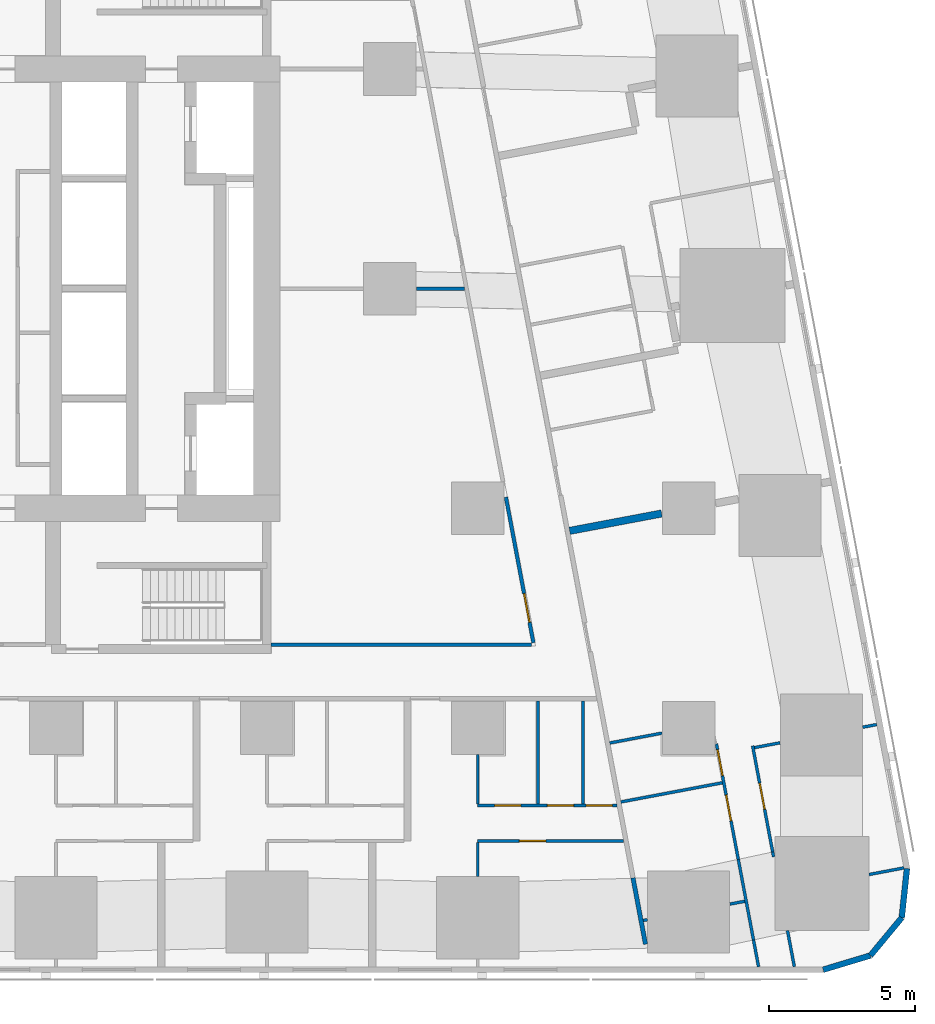
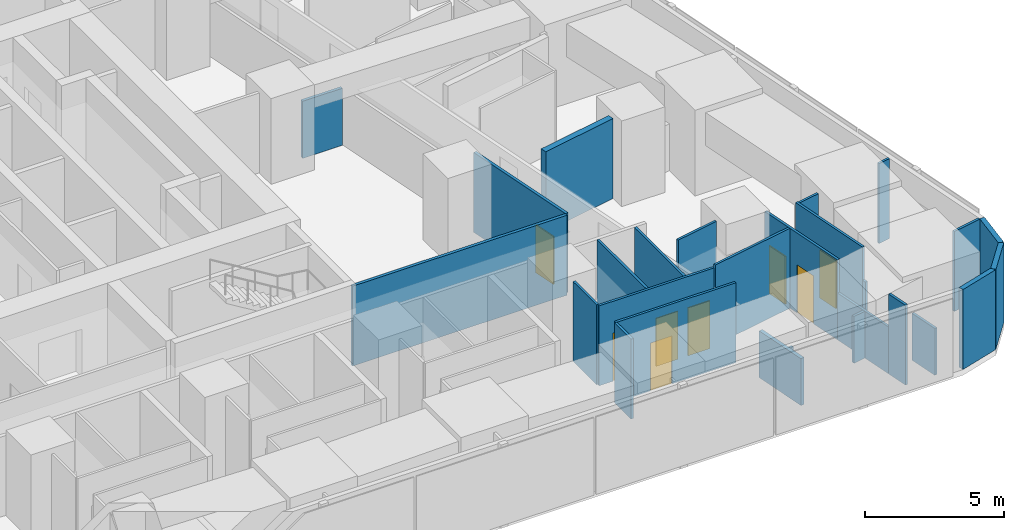
# One storey, part 6 of 15: 27 walls, 8 doors, 8 openings.
"""IFC4 building model written with IfcOpenShell, lengths in metres."""

from ifc_helpers import new_model, si_unit, direction, frame, frame_2d, origin, place, context, subcontext, project, spatial, rectangle, extrude, material, layer, layer_set, type_object, element, fill, save


model = new_model("IFC4")

# Units and contexts
model_context = context("Model", 3, precision=1e-05, world=origin(), true_north=direction((0.0, 1.0)))
body_context = subcontext(model_context, "Body", "Model", "MODEL_VIEW")
ifc_project = project(units=[si_unit("LENGTHUNIT", "METRE"), si_unit("AREAUNIT", "SQUARE_METRE"), si_unit("VOLUMEUNIT", "CUBIC_METRE"), si_unit("PLANEANGLEUNIT", "RADIAN"), si_unit("MASSUNIT", "GRAM", prefix="KILO")], contexts=[model_context])

# Site, building, storey
site_placement = place(None, origin())
site = spatial("IfcSite", under=ifc_project, at=site_placement, CompositionType="ELEMENT")
building_placement = place(site_placement, origin())
building = spatial("IfcBuilding", under=site, at=building_placement, Name="Sheger Commons Tower", CompositionType="ELEMENT")
storey_placement = place(building_placement, frame((0.0, 0.0, 65.0)))
storey = spatial("IfcBuildingStorey", under=building, at=storey_placement, Name="L16", CompositionType="ELEMENT", Elevation=65.0)

# Walls
ifc_material_1 = material(Name="Hollow concrete block masonry, skimmed both sides", Category="masonry")
ifc_layer_1 = layer(ifc_material_1, 0.14990234375)
ifc_layer_set_1 = layer_set([ifc_layer_1], Name="CORRIDOR WALL 150")
wall_type_1 = type_object("IfcWallType", Name="CORRIDOR WALL 150", PredefinedType="SOLIDWALL", material=ifc_layer_set_1)
wall_1_placement = place(storey_placement, frame((41.300048828125, 2.385009765625, 0.0), z_axis=(0.0, 0.0, 1.0), x_axis=(0.185170596553, -0.982706390624, 0.0)))
element("IfcWall", 1, at=wall_1_placement, inside=storey, type_object=wall_type_1, Name="Corridor wall L16", PredefinedType="SOLIDWALL", context=body_context, shape_type="SweptSolid", body=[
    extrude(rectangle(XDim=2.305908203125, YDim=0.14990234375, at=frame_2d((1.15283203125, 0.0))), origin(), (0.0, 0.0, 1.0), 2.050048828125),
])
ifc_material_2 = material(Name="Dense concrete block masonry, plastered both sides (separating wall between flats)", Category="masonry")
ifc_layer_2 = layer(ifc_material_2, 0.25)
ifc_layer_set_2 = layer_set([ifc_layer_2], Name="DEMISING WALL 250")
wall_type_2 = type_object("IfcWallType", Name="DEMISING WALL 250", PredefinedType="SOLIDWALL", material=ifc_layer_set_2)
wall_2_placement = place(storey_placement, frame((42.27587890625, 14.824951171875, 0.0), z_axis=(0.0, 0.0, 1.0), x_axis=(-0.982607211054, -0.185696173318, 0.0)))
element("IfcWall", 2, at=wall_2_placement, inside=storey, type_object=wall_type_2, Name="Demising wall L16", PredefinedType="SOLIDWALL", context=body_context, shape_type="SweptSolid", body=[
    extrude(rectangle(XDim=3.193603515625, YDim=0.25, at=frame_2d((1.5966796875, 0.0))), origin(), (0.0, 0.0, 1.0), 3.5),
])
ifc_material_3 = material(Name="Rendered concrete block masonry, dark grey", Category="masonry")
ifc_layer_3 = layer(ifc_material_3, 0.199951171875)
ifc_layer_set_3 = layer_set([ifc_layer_3], Name="FACADE WALL 200")
wall_type_3 = type_object("IfcWallType", Name="FACADE WALL 200", PredefinedType="SOLIDWALL", material=ifc_layer_set_3)
wall_3_placement = place(storey_placement, frame((47.791015625, -0.75, 0.0), z_axis=(0.0, 0.0, 1.0), x_axis=(0.957455232626, 0.288581838509, 0.0)))
element("IfcWall", 3, at=wall_3_placement, inside=storey, type_object=wall_type_3, Name="Facade wall L16", PredefinedType="SOLIDWALL", context=body_context, shape_type="SweptSolid", body=[
    extrude(rectangle(XDim=1.687744140625, YDim=0.199951171875, at=frame_2d((0.84375, 0.0))), origin(), (0.0, 0.0, 1.0), 3.5),
])
wall_4_placement = place(storey_placement, frame((49.406982421875, -0.262939453125, 0.0), z_axis=(0.0, 0.0, 1.0), x_axis=(0.638042593423, 0.770001070764, 0.0)))
element("IfcWall", 4, at=wall_4_placement, inside=storey, type_object=wall_type_3, Name="Facade wall L16", PredefinedType="SOLIDWALL", context=body_context, shape_type="SweptSolid", body=[
    extrude(rectangle(XDim=1.672607421875, YDim=0.199951171875, at=frame_2d((0.83642578125, 0.0))), origin(), (0.0, 0.0, 1.0), 3.5),
])
wall_5_placement = place(storey_placement, frame((50.47412109375, 1.02490234375, 0.0), z_axis=(0.0, 0.0, 1.0), x_axis=(0.106047815515, 0.994361031429, 0.0)))
element("IfcWall", 5, at=wall_5_placement, inside=storey, type_object=wall_type_3, Name="Facade wall L16", PredefinedType="SOLIDWALL", context=body_context, shape_type="SweptSolid", body=[
    extrude(rectangle(XDim=1.6875, YDim=0.199951171875, at=frame_2d((0.84375, 0.0))), origin(), (0.0, 0.0, 1.0), 3.5),
])

# Wall, opening, door
ifc_material_4 = material(Name="Gypsum board on steel studs", Category="steel")
ifc_layer_4 = layer(ifc_material_4, 0.10009765625)
ifc_layer_set_4 = layer_set([ifc_layer_4], Name="PARTITION 100")
wall_type_4 = type_object("IfcWallType", Name="PARTITION 100", PredefinedType="PARTITIONING", material=ifc_layer_set_4)
wall_6_placement = place(storey_placement, frame((40.97509765625, 3.64990234375, 0.0), z_axis=(0.0, 0.0, 1.0), x_axis=(-1.0, 0.0, 0.0)))
wall_6 = element("IfcWall", 6, at=wall_6_placement, inside=storey, type_object=wall_type_4, Name="Partition L16", PredefinedType="PARTITIONING", context=body_context, shape_type="SweptSolid", body=[
    extrude(rectangle(XDim=4.97509765625, YDim=0.10009765625, at=frame_2d((2.487548828125, 0.0))), origin(), (0.0, 0.0, 1.0), 3.5),
])
opening_1_placement = place(wall_6_placement, frame((2.64990234375, 0.0, 0.0)))
opening_1 = element("IfcOpeningElement", 7, at=opening_1_placement, cuts=wall_6, Name="Opening D2", PredefinedType="OPENING", context=body_context, shape_type="SweptSolid", body=[
    extrude(rectangle(XDim=0.89990234375, YDim=2.10009765625, at=frame_2d((0.449951171875, 1.050048828125))), frame((0.0, 0.06005859375, 0.0), z_axis=(0.0, -1.0, 0.0), x_axis=(1.0, 0.0, 0.0)), (0.0, 0.0, 1.0), 0.1201171875),
])
ifc_material_5 = material(Name="Timber door set", Category="wood")
door_type_1 = type_object("IfcDoorType", Name="INTERNAL DOOR 900x2100", OperationType="NOTDEFINED", PredefinedType="DOOR", material=ifc_material_5)
door_1_placement = place(opening_1_placement, origin())
door_1 = element("IfcDoor", 8, at=door_1_placement, inside=storey, type_object=door_type_1, Name="Main bedroom door", OperationType="SINGLE_SWING_RIGHT", OverallHeight=2.10009765625, OverallWidth=0.89990234375, PredefinedType="DOOR", context=body_context, shape_type="SweptSolid", body=[
    extrude(rectangle(XDim=0.89990234375, YDim=2.10009765625, at=frame_2d((0.449951171875, 1.050048828125))), frame((0.0, 0.02490234375, 0.0), z_axis=(0.0, -1.0, 0.0), x_axis=(1.0, 0.0, 0.0)), (0.0, 0.0, 1.0), 0.050048828125),
])
fill(opening_1, door_1)

# Wall, openings, doors
wall_7_placement = place(storey_placement, frame((40.748046875, 4.85009765625, 0.0), z_axis=(0.0, 0.0, 1.0), x_axis=(-1.0, 0.0, 0.0)))
wall_7 = element("IfcWall", 9, at=wall_7_placement, inside=storey, type_object=wall_type_4, Name="Partition L16", PredefinedType="PARTITIONING", context=body_context, shape_type="SweptSolid", body=[
    extrude(rectangle(XDim=4.748046875, YDim=0.10009765625, at=frame_2d((2.3740234375, 0.0))), origin(), (0.0, 0.0, 1.0), 3.5),
])
opening_2_placement = place(wall_7_placement, frame((3.27294921875, 0.0, 0.0)))
opening_2 = element("IfcOpeningElement", 10, at=opening_2_placement, cuts=wall_7, Name="Opening D2", PredefinedType="OPENING", context=body_context, shape_type="SweptSolid", body=[
    extrude(rectangle(XDim=0.89990234375, YDim=2.10009765625, at=frame_2d((0.449951171875, 1.050048828125))), frame((0.0, 0.06005859375, 0.0), z_axis=(0.0, -1.0, 0.0), x_axis=(1.0, 0.0, 0.0)), (0.0, 0.0, 1.0), 0.1201171875),
])
opening_3_placement = place(wall_7_placement, frame((0.14990234375, 0.0, 0.0)))
opening_3 = element("IfcOpeningElement", 11, at=opening_3_placement, cuts=wall_7, Name="Opening D2", PredefinedType="OPENING", context=body_context, shape_type="SweptSolid", body=[
    extrude(rectangle(XDim=0.89990234375, YDim=2.10009765625, at=frame_2d((0.449951171875, 1.050048828125))), frame((0.0, 0.06005859375, 0.0), z_axis=(0.0, -1.0, 0.0), x_axis=(1.0, 0.0, 0.0)), (0.0, 0.0, 1.0), 0.1201171875),
])
opening_4_placement = place(wall_7_placement, frame((1.472900390625, 0.0, 0.0)))
opening_4 = element("IfcOpeningElement", 12, at=opening_4_placement, cuts=wall_7, Name="Opening D2", PredefinedType="OPENING", context=body_context, shape_type="SweptSolid", body=[
    extrude(rectangle(XDim=0.89990234375, YDim=2.10009765625, at=frame_2d((0.449951171875, 1.050048828125))), frame((0.0, 0.06005859375, 0.0), z_axis=(0.0, -1.0, 0.0), x_axis=(1.0, 0.0, 0.0)), (0.0, 0.0, 1.0), 0.1201171875),
])
door_2_placement = place(opening_2_placement, origin())
door_2 = element("IfcDoor", 13, at=door_2_placement, inside=storey, type_object=door_type_1, Name="Bathroom door", OperationType="SINGLE_SWING_LEFT", OverallHeight=2.10009765625, OverallWidth=0.89990234375, PredefinedType="DOOR", context=body_context, shape_type="SweptSolid", body=[
    extrude(rectangle(XDim=0.89990234375, YDim=2.10009765625, at=frame_2d((0.449951171875, 1.050048828125))), frame((0.0, 0.02490234375, 0.0), z_axis=(0.0, -1.0, 0.0), x_axis=(1.0, 0.0, 0.0)), (0.0, 0.0, 1.0), 0.050048828125),
])
fill(opening_2, door_2)
door_3_placement = place(opening_3_placement, origin())
door_3 = element("IfcDoor", 14, at=door_3_placement, inside=storey, type_object=door_type_1, Name="Laundry room door", OperationType="SINGLE_SWING_RIGHT", OverallHeight=2.10009765625, OverallWidth=0.89990234375, PredefinedType="DOOR", context=body_context, shape_type="SweptSolid", body=[
    extrude(rectangle(XDim=0.89990234375, YDim=2.10009765625, at=frame_2d((0.449951171875, 1.050048828125))), frame((0.0, 0.02490234375, 0.0), z_axis=(0.0, -1.0, 0.0), x_axis=(1.0, 0.0, 0.0)), (0.0, 0.0, 1.0), 0.050048828125),
])
fill(opening_3, door_3)
door_4_placement = place(opening_4_placement, origin())
door_4 = element("IfcDoor", 15, at=door_4_placement, inside=storey, type_object=door_type_1, Name="Store door", OperationType="SINGLE_SWING_LEFT", OverallHeight=2.10009765625, OverallWidth=0.89990234375, PredefinedType="DOOR", context=body_context, shape_type="SweptSolid", body=[
    extrude(rectangle(XDim=0.89990234375, YDim=2.10009765625, at=frame_2d((0.449951171875, 1.050048828125))), frame((0.0, 0.02490234375, 0.0), z_axis=(0.0, -1.0, 0.0), x_axis=(1.0, 0.0, 0.0)), (0.0, 0.0, 1.0), 0.050048828125),
])
fill(opening_4, door_4)

# Walls
wall_8_placement = place(storey_placement, frame((36.0, 2.426025390625, 0.0), z_axis=(0.0, 0.0, 1.0), x_axis=(0.0, 1.0, 0.0)))
element("IfcWall", 16, at=wall_8_placement, inside=storey, type_object=wall_type_4, Name="Partition L16", PredefinedType="PARTITIONING", context=body_context, shape_type="SweptSolid", body=[
    extrude(rectangle(XDim=1.174072265625, YDim=0.10009765625, at=frame_2d((0.5869140625, 0.0))), origin(), (0.0, 0.0, 1.0), 3.5),
])
wall_9_placement = place(storey_placement, frame((36.0, 4.89990234375, 0.0), z_axis=(0.0, 0.0, 1.0), x_axis=(0.0, 1.0, 0.0)))
element("IfcWall", 17, at=wall_9_placement, inside=storey, type_object=wall_type_4, Name="Partition L16", PredefinedType="PARTITIONING", context=body_context, shape_type="SweptSolid", body=[
    extrude(rectangle(XDim=1.69921875, YDim=0.10009765625, at=frame_2d((0.849609375, 0.0))), origin(), (0.0, 0.0, 1.0), 3.5),
])
for number, where, z_axis, x_axis, name in (
    (18, (39.60009765625, 4.89990234375, 0.0), (0.0, 0.0, 1.0), (0.0, 1.0, 0.0), "Partition L16"),
    (19, (38.050048828125, 4.89990234375, 0.0), (0.0, 0.0, 1.0), (0.0, 1.0, 0.0), "Partition L16"),
):
    element("IfcWall", number, at=place(storey_placement, frame(where, z_axis=z_axis, x_axis=x_axis)), inside=storey, type_object=wall_type_4, Name=name, PredefinedType="PARTITIONING", context=body_context, shape_type="SweptSolid", body=[
        extrude(rectangle(XDim=3.525146484375, YDim=0.10009765625, at=frame_2d((1.7626953125, 0.0))), origin(), (0.0, 0.0, 1.0), 3.5),
    ])

# Wall, opening, door
wall_10_placement = place(storey_placement, frame((45.383056640625, 6.89404296875, 0.0), z_axis=(0.0, 0.0, 1.0), x_axis=(0.185791461635, -0.982589198385, 0.0)))
wall_10 = element("IfcWall", 20, at=wall_10_placement, inside=storey, type_object=wall_type_4, Name="Partition L16", PredefinedType="PARTITIONING", context=body_context, shape_type="SweptSolid", body=[
    extrude(rectangle(XDim=3.687255859375, YDim=0.10009765625, at=frame_2d((1.84375, 0.0))), origin(), (0.0, 0.0, 1.0), 3.5),
])
opening_5_placement = place(wall_10_placement, frame((1.300048828125, 0.0, 0.0)))
opening_5 = element("IfcOpeningElement", 21, at=opening_5_placement, cuts=wall_10, Name="Opening D2", PredefinedType="OPENING", context=body_context, shape_type="SweptSolid", body=[
    extrude(rectangle(XDim=0.89990234375, YDim=2.10009765625, at=frame_2d((0.449951171875, 1.050048828125))), frame((0.0, 0.06005859375, 0.0), z_axis=(0.0, -1.0, 0.0), x_axis=(1.0, 0.0, 0.0)), (0.0, 0.0, 1.0), 0.1201171875),
])
door_5_placement = place(opening_5_placement, origin())
door_5 = element("IfcDoor", 22, at=door_5_placement, inside=storey, type_object=door_type_1, Name="Main bedroom door", OperationType="SINGLE_SWING_LEFT", OverallHeight=2.10009765625, OverallWidth=0.89990234375, PredefinedType="DOOR", context=body_context, shape_type="SweptSolid", body=[
    extrude(rectangle(XDim=0.89990234375, YDim=2.10009765625, at=frame_2d((0.449951171875, 1.050048828125))), frame((0.0, 0.02490234375, 0.0), z_axis=(0.0, -1.0, 0.0), x_axis=(1.0, 0.0, 0.0)), (0.0, 0.0, 1.0), 0.050048828125),
])
fill(opening_5, door_5)

# Walls
wall_11_placement = place(storey_placement, frame((46.068115234375, 3.27099609375, 0.0), z_axis=(0.0, 0.0, 1.0), x_axis=(0.183590240121, -0.98300286049, 0.0)))
element("IfcWall", 23, at=wall_11_placement, inside=storey, type_object=wall_type_4, Name="Partition L16", PredefinedType="PARTITIONING", context=body_context, shape_type="SweptSolid", body=[
    extrude(rectangle(XDim=0.1689453125, YDim=0.10009765625, at=frame_2d((0.08447265625, 0.0))), origin(), (0.0, 0.0, 1.0), 2.050048828125),
])
wall_12_placement = place(storey_placement, frame((46.573974609375, 0.5869140625, 0.0), z_axis=(0.0, 0.0, 1.0), x_axis=(0.185997942803, -0.98255013372, 0.0)))
element("IfcWall", 24, at=wall_12_placement, inside=storey, type_object=wall_type_4, Name="Partition L16", PredefinedType="PARTITIONING", context=body_context, shape_type="SweptSolid", body=[
    extrude(rectangle(XDim=1.2587890625, YDim=0.10009765625, at=frame_2d((0.62939453125, 0.0))), origin(), (0.0, 0.0, 1.0), 2.050048828125),
])

# Wall, openings, doors
wall_13_placement = place(storey_placement, frame((44.14892578125, 6.9599609375, 0.0), z_axis=(0.0, 0.0, 1.0), x_axis=(0.185824941804, -0.982582867245, 0.0)))
wall_13 = element("IfcWall", 25, at=wall_13_placement, inside=storey, type_object=wall_type_4, Name="Partition L16", PredefinedType="PARTITIONING", context=body_context, shape_type="SweptSolid", body=[
    extrude(rectangle(XDim=4.009765625, YDim=0.10009765625, at=frame_2d((2.0048828125, 0.0))), origin(), (0.0, 0.0, 1.0), 3.5),
])
opening_6_placement = place(wall_13_placement, frame((0.199951171875, 0.0, 0.0)))
opening_6 = element("IfcOpeningElement", 26, at=opening_6_placement, cuts=wall_13, Name="Opening D2", PredefinedType="OPENING", context=body_context, shape_type="SweptSolid", body=[
    extrude(rectangle(XDim=0.89990234375, YDim=2.10009765625, at=frame_2d((0.449951171875, 1.050048828125))), frame((0.0, 0.06005859375, 0.0), z_axis=(0.0, -1.0, 0.0), x_axis=(1.0, 0.0, 0.0)), (0.0, 0.0, 1.0), 0.1201171875),
])
opening_7_placement = place(wall_13_placement, frame((1.77587890625, 0.0, 0.0)))
opening_7 = element("IfcOpeningElement", 27, at=opening_7_placement, cuts=wall_13, Name="Opening D2", PredefinedType="OPENING", context=body_context, shape_type="SweptSolid", body=[
    extrude(rectangle(XDim=0.89990234375, YDim=2.10009765625, at=frame_2d((0.449951171875, 1.050048828125))), frame((0.0, 0.06005859375, 0.0), z_axis=(0.0, -1.0, 0.0), x_axis=(1.0, 0.0, 0.0)), (0.0, 0.0, 1.0), 0.1201171875),
])
door_6_placement = place(opening_6_placement, origin())
door_6 = element("IfcDoor", 28, at=door_6_placement, inside=storey, type_object=door_type_1, Name="Bathroom door", OperationType="SINGLE_SWING_LEFT", OverallHeight=2.10009765625, OverallWidth=0.89990234375, PredefinedType="DOOR", context=body_context, shape_type="SweptSolid", body=[
    extrude(rectangle(XDim=0.89990234375, YDim=2.10009765625, at=frame_2d((0.449951171875, 1.050048828125))), frame((0.0, 0.02490234375, 0.0), z_axis=(0.0, -1.0, 0.0), x_axis=(1.0, 0.0, 0.0)), (0.0, 0.0, 1.0), 0.050048828125),
])
fill(opening_6, door_6)
door_7_placement = place(opening_7_placement, origin())
door_7 = element("IfcDoor", 29, at=door_7_placement, inside=storey, type_object=door_type_1, Name="Store door", OperationType="SINGLE_SWING_RIGHT", OverallHeight=2.10009765625, OverallWidth=0.89990234375, PredefinedType="DOOR", context=body_context, shape_type="SweptSolid", body=[
    extrude(rectangle(XDim=0.89990234375, YDim=2.10009765625, at=frame_2d((0.449951171875, 1.050048828125))), frame((0.0, 0.02490234375, 0.0), z_axis=(0.0, -1.0, 0.0), x_axis=(1.0, 0.0, 0.0)), (0.0, 0.0, 1.0), 0.050048828125),
])
fill(opening_7, door_7)

# Walls
wall_14_placement = place(storey_placement, frame((44.89404296875, 3.02001953125, 0.0), z_axis=(0.0, 0.0, 1.0), x_axis=(0.185471317237, -0.982649678412, 0.0)))
element("IfcWall", 30, at=wall_14_placement, inside=storey, type_object=wall_type_4, Name="Partition L16", PredefinedType="PARTITIONING", context=body_context, shape_type="SweptSolid", body=[
    extrude(rectangle(XDim=2.8037109375, YDim=0.10009765625, at=frame_2d((1.40185546875, 0.0))), origin(), (0.0, 0.0, 1.0), 2.050048828125),
])
wall_15_placement = place(storey_placement, frame((45.4140625, 0.264892578125, 0.0), z_axis=(0.0, 0.0, 1.0), x_axis=(0.185665855771, -0.982612940074, 0.0)))
element("IfcWall", 31, at=wall_15_placement, inside=storey, type_object=wall_type_4, Name="Partition L16", PredefinedType="PARTITIONING", context=body_context, shape_type="SweptSolid", body=[
    extrude(rectangle(XDim=0.930908203125, YDim=0.10009765625, at=frame_2d((0.46533203125, 0.0))), origin(), (0.0, 0.0, 1.0), 3.5),
])
wall_16_placement = place(storey_placement, frame((49.6220703125, 7.6201171875, 0.0), z_axis=(0.0, 0.0, 1.0), x_axis=(-0.982629142467, -0.185580086147, 0.0)))
element("IfcWall", 32, at=wall_16_placement, inside=storey, type_object=wall_type_4, Name="Partition L16", PredefinedType="PARTITIONING", context=body_context, shape_type="SweptSolid", body=[
    extrude(rectangle(XDim=0.49072265625, YDim=0.10009765625, at=frame_2d((0.245361328125, 0.0))), origin(), (0.0, 0.0, 1.0), 3.5),
])
wall_17_placement = place(storey_placement, frame((46.320068359375, 6.9970703125, 0.0), z_axis=(0.0, 0.0, 1.0), x_axis=(-0.982635224332, -0.185547880349, 0.0)))
element("IfcWall", 33, at=wall_17_placement, inside=storey, type_object=wall_type_4, Name="Partition L16", PredefinedType="PARTITIONING", context=body_context, shape_type="SweptSolid", body=[
    extrude(rectangle(XDim=0.889404296875, YDim=0.10009765625, at=frame_2d((0.44482421875, 0.0))), origin(), (0.0, 0.0, 1.0), 3.5),
])
wall_18_placement = place(storey_placement, frame((50.547119140625, 2.72607421875, 0.0), z_axis=(0.0, 0.0, 1.0), x_axis=(-0.982553313503, -0.185981144539, 0.0)))
element("IfcWall", 34, at=wall_18_placement, inside=storey, type_object=wall_type_4, Name="Partition L16", PredefinedType="PARTITIONING", context=body_context, shape_type="SweptSolid", body=[
    extrude(rectangle(XDim=1.210205078125, YDim=0.10009765625, at=frame_2d((0.60498046875, 0.0))), origin(), (0.0, 0.0, 1.0), 3.5),
])
wall_19_placement = place(storey_placement, frame((42.2900390625, 7.327880859375, 0.0), z_axis=(0.0, 0.0, 1.0), x_axis=(-0.98262927905, -0.185579362952, 0.0)))
element("IfcWall", 35, at=wall_19_placement, inside=storey, type_object=wall_type_4, Name="Partition L16", PredefinedType="PARTITIONING", context=body_context, shape_type="SweptSolid", body=[
    extrude(rectangle(XDim=1.8154296875, YDim=0.10009765625, at=frame_2d((0.90771484375, 0.0))), origin(), (0.0, 0.0, 1.0), 3.5),
])
wall_20_placement = place(storey_placement, frame((45.114013671875, 1.5869140625, 0.0), z_axis=(0.0, 0.0, 1.0), x_axis=(-0.982699277433, -0.185208342501, 0.0)))
element("IfcWall", 36, at=wall_20_placement, inside=storey, type_object=wall_type_4, Name="Partition L16", PredefinedType="PARTITIONING", context=body_context, shape_type="SweptSolid", body=[
    extrude(rectangle(XDim=0.5126953125, YDim=0.10009765625, at=frame_2d((0.25634765625, 0.0))), origin(), (0.0, 0.0, 1.0), 2.050048828125),
])
wall_21_placement = place(storey_placement, frame((41.7900390625, 0.958984375, 0.0), z_axis=(0.0, 0.0, 1.0), x_axis=(-0.983372768072, -0.181598455428, 0.0)))
element("IfcWall", 37, at=wall_21_placement, inside=storey, type_object=wall_type_4, Name="Partition L16", PredefinedType="PARTITIONING", context=body_context, shape_type="SweptSolid", body=[
    extrude(rectangle(XDim=0.142578125, YDim=0.10009765625, at=frame_2d((0.0712890625, 0.0))), origin(), (0.0, 0.0, 1.0), 2.050048828125),
])
wall_22_placement = place(storey_placement, frame((44.34912109375, 5.631103515625, 0.0), z_axis=(0.0, 0.0, 1.0), x_axis=(-0.982629014545, -0.18558076348, 0.0)))
element("IfcWall", 38, at=wall_22_placement, inside=storey, type_object=wall_type_4, Name="Partition L16", PredefinedType="PARTITIONING", context=body_context, shape_type="SweptSolid", body=[
    extrude(rectangle(XDim=3.5244140625, YDim=0.10009765625, at=frame_2d((1.76220703125, 0.0))), origin(), (0.0, 0.0, 1.0), 3.5),
])
ifc_material_6 = material(Name="Gypsum board on steel studs, two layers each side, fire rated", Category="steel")
ifc_layer_5 = layer(ifc_material_6, 0.125)
ifc_layer_set_5 = layer_set([ifc_layer_5], Name="SERVICE WALL 125")
wall_type_5 = type_object("IfcWallType", Name="SERVICE WALL 125", PredefinedType="PARTITIONING", material=ifc_layer_set_5)
wall_23_placement = place(storey_placement, frame((28.949951171875, 10.35009765625, 0.0), z_axis=(0.0, 0.0, 1.0), x_axis=(1.0, 0.0, 0.0)))
element("IfcWall", 39, at=wall_23_placement, inside=storey, type_object=wall_type_5, Name="Service room wall L16", PredefinedType="PARTITIONING", context=body_context, shape_type="SweptSolid", body=[
    extrude(rectangle(XDim=8.885986328125, YDim=0.125, at=frame_2d((4.44287109375, 0.0))), origin(), (0.0, 0.0, 1.0), 3.5),
])

# Wall, opening, door
wall_24_placement = place(storey_placement, frame((37.89990234375, 10.4130859375, 0.0), z_axis=(0.0, 0.0, 1.0), x_axis=(-0.185527510388, 0.982639070508, 0.0)))
wall_24 = element("IfcWall", 40, at=wall_24_placement, inside=storey, type_object=wall_type_5, Name="Service room wall L16", PredefinedType="PARTITIONING", context=body_context, shape_type="SweptSolid", body=[
    extrude(rectangle(XDim=5.055908203125, YDim=0.125, at=frame_2d((2.52783203125, 0.0))), origin(), (0.0, 0.0, 1.0), 3.5),
])
opening_8_placement = place(wall_24_placement, frame((0.7080078125, 0.0, 0.0)))
opening_8 = element("IfcOpeningElement", 41, at=opening_8_placement, cuts=wall_24, Name="Opening D4", PredefinedType="OPENING", context=body_context, shape_type="SweptSolid", body=[
    extrude(rectangle(XDim=1.0, YDim=2.10009765625, at=frame_2d((0.5, 1.050048828125))), frame((0.0, 0.072509765625, 0.0), z_axis=(0.0, -1.0, 0.0), x_axis=(1.0, 0.0, 0.0)), (0.0, 0.0, 1.0), 0.14501953125),
])
ifc_material_7 = material(Name="Steel door set, fire rated", Category="steel")
door_type_2 = type_object("IfcDoorType", Name="SERVICE DOOR 1000x2100", OperationType="NOTDEFINED", PredefinedType="DOOR", material=ifc_material_7)
door_8_placement = place(opening_8_placement, origin())
door_8 = element("IfcDoor", 42, at=door_8_placement, inside=storey, type_object=door_type_2, Name="Children's play room door", OperationType="SINGLE_SWING_LEFT", OverallHeight=2.10009765625, OverallWidth=1.0, PredefinedType="DOOR", context=body_context, shape_type="SweptSolid", body=[
    extrude(rectangle(XDim=1.0, YDim=2.10009765625, at=frame_2d((0.5, 1.050048828125))), frame((0.0, 0.02490234375, 0.0), z_axis=(0.0, -1.0, 0.0), x_axis=(1.0, 0.0, 0.0)), (0.0, 0.0, 1.0), 0.050048828125),
])
fill(opening_8, door_8)

# Wall
wall_25_placement = place(storey_placement, frame((33.90087890625, 22.5, 0.0), z_axis=(0.0, 0.0, 1.0), x_axis=(1.0, 0.0, 0.0)))
element("IfcWall", 43, at=wall_25_placement, inside=storey, type_object=wall_type_5, Name="Service room wall L16", PredefinedType="PARTITIONING", context=body_context, shape_type="SweptSolid", body=[
    extrude(rectangle(XDim=1.64111328125, YDim=0.125, at=frame_2d((0.820556640625, 0.0))), origin(), (0.0, 0.0, 1.0), 2.5),
])

save(model, "model.ifc")
